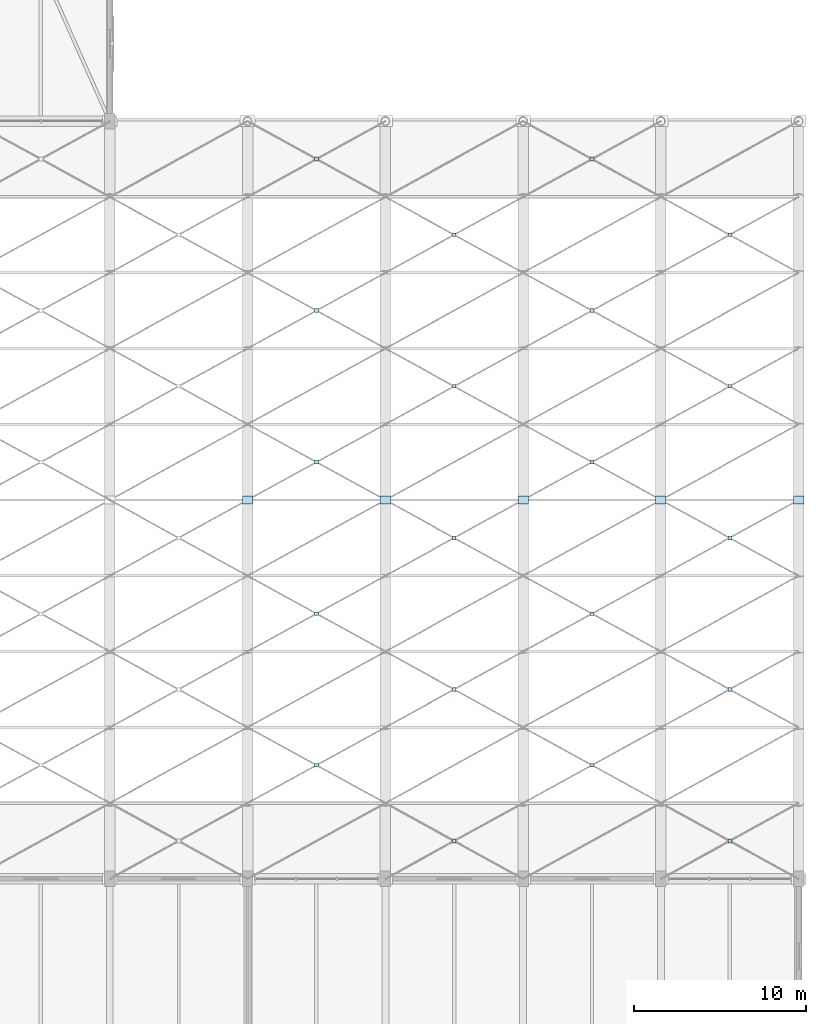
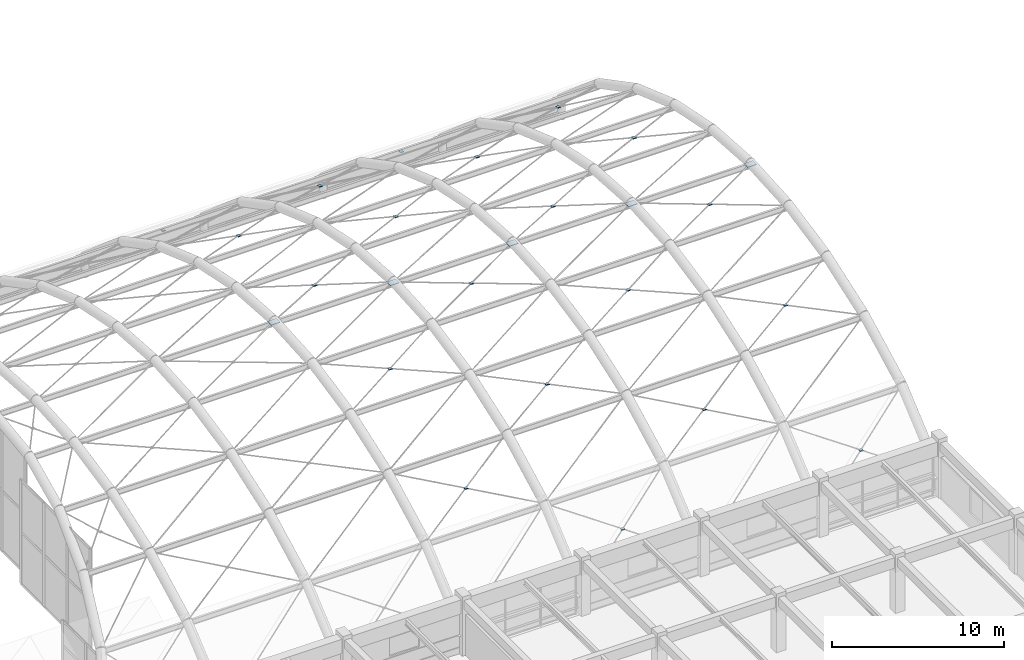
# One storey, part 95 of 126: 25 plates.
"""IFC4 building model written with IfcOpenShell, lengths in metres."""

from ifc_helpers import new_model, si_unit, direction, frame, origin, origin_2d, place, context, subcontext, project, spatial, rectangle, extrude, material, layer, layer_set, type_object, element, save


model = new_model("IFC4")

# Units and contexts
model_context = context("Model", 3, precision=1e-05, world=origin(), true_north=direction((0.0, 1.0)))
body_context = subcontext(model_context, "Body", "Model", "MODEL_VIEW")
ifc_project = project(units=[si_unit("LENGTHUNIT", "METRE"), si_unit("AREAUNIT", "SQUARE_METRE"), si_unit("VOLUMEUNIT", "CUBIC_METRE"), si_unit("PLANEANGLEUNIT", "RADIAN"), si_unit("MASSUNIT", "GRAM", prefix="KILO")], contexts=[model_context])

# Site, building, storey
site_placement = place(None, origin())
site = spatial("IfcSite", under=ifc_project, at=site_placement, CompositionType="ELEMENT")
building_placement = place(site_placement, origin())
building = spatial("IfcBuilding", under=site, at=building_placement, Name="Varnabhumi Central Station", CompositionType="ELEMENT")
storey_placement = place(building_placement, frame((0.0, 0.0, 16.199951171875)))
storey = spatial("IfcBuildingStorey", under=building, at=storey_placement, Name="L03", CompositionType="ELEMENT", Elevation=16.199951171875)

# Plates
ifc_material = material(Name="Structural steel E450", Category="steel")
ifc_layer = layer(ifc_material, 0.035888671875, Name="Structural steel E450", Category="steel")
ifc_layer_set = layer_set([ifc_layer], Name="Structural steel E450")
plate_type = type_object("IfcPlateType", Name="PLT-CLEVIS-C", PredefinedType="SHEET", material=ifc_layer_set)
for number, where, z_axis, x_axis, name in (
    (1, (152.0, 58.0, 10.01220703125), (0.0, 0.0, 1.0), (1.0, 0.0, 0.0), "Platform Train-Shed Vault Crown Cable Clevis Plate 4"),
    (2, (160.0, 58.0, 10.01220703125), (0.0, 0.0, 1.0), (1.0, 0.0, 0.0), "Platform Train-Shed Vault Crown Cable Clevis Plate 5"),
    (3, (168.0, 58.0, 10.01220703125), (0.0, 0.0, 1.0), (1.0, 0.0, 0.0), "Platform Train-Shed Vault Crown Cable Clevis Plate 6"),
    (4, (176.0, 58.0, 10.01220703125), (0.0, 0.0, 1.0), (1.0, 0.0, 0.0), "Platform Train-Shed Vault Crown Cable Clevis Plate 7"),
    (5, (184.0, 58.0, 10.01220703125), (0.0, 0.0, 1.0), (1.0, 0.0, 0.0), "Platform Train-Shed Vault Crown Cable Clevis Plate 8"),
):
    element("IfcPlate", number, at=place(storey_placement, frame(where, z_axis=z_axis, x_axis=x_axis)), inside=storey, type_object=plate_type, Name=name, PredefinedType="SHEET", context=body_context, shape_type="SweptSolid", body=[
        extrude(rectangle(XDim=0.60009765625, YDim=0.449951171875, at=origin_2d()), origin(), (0.0, 0.0, 1.0), 0.035888671875),
    ])
for number, where, z_axis, x_axis, name in (
    (6, (156.0, 42.60009765625, 6.15625), (0.0, 0.0, 1.0), (1.0, 0.0, 0.0), "Platform Train-Shed Vault Cable-Net Crossing Clamp Node B4-P2"),
    (7, (156.0, 51.39990234375, 9.30810546875), (0.0, 0.0, 1.0), (1.0, 0.0, 0.0), "Platform Train-Shed Vault Cable-Net Crossing Clamp Node B4-P4"),
    (8, (156.0, 60.199951171875, 9.9072265625), (0.0, 0.0, 1.0), (1.0, 0.0, 0.0), "Platform Train-Shed Vault Cable-Net Crossing Clamp Node B4-P6"),
    (9, (156.0, 69.0, 8.08349609375), (0.0, 0.0, 1.0), (1.0, 0.0, 0.0), "Platform Train-Shed Vault Cable-Net Crossing Clamp Node B4-P8"),
    (10, (156.0, 77.800048828125, 3.12939453125), (0.0, 0.0, 1.0), (1.0, 0.0, 0.0), "Platform Train-Shed Vault Cable-Net Crossing Clamp Node B4-P10"),
    (11, (164.0, 38.199951171875, 3.12939453125), (0.0, 0.0, 1.0), (1.0, 0.0, 0.0), "Platform Train-Shed Vault Cable-Net Crossing Clamp Node B5-P1"),
    (12, (164.0, 47.0, 8.08349609375), (0.0, 0.0, 1.0), (1.0, 0.0, 0.0), "Platform Train-Shed Vault Cable-Net Crossing Clamp Node B5-P3"),
    (13, (164.0, 55.800048828125, 9.9072265625), (0.0, 0.0, 1.0), (1.0, 0.0, 0.0), "Platform Train-Shed Vault Cable-Net Crossing Clamp Node B5-P5"),
    (14, (164.0, 64.60009765625, 9.30810546875), (0.0, 0.0, 1.0), (1.0, 0.0, 0.0), "Platform Train-Shed Vault Cable-Net Crossing Clamp Node B5-P7"),
    (15, (164.0, 73.39990234375, 6.15625), (0.0, 0.0, 1.0), (1.0, 0.0, 0.0), "Platform Train-Shed Vault Cable-Net Crossing Clamp Node B5-P9"),
    (16, (172.0, 42.60009765625, 6.15625), (0.0, 0.0, 1.0), (1.0, 0.0, 0.0), "Platform Train-Shed Vault Cable-Net Crossing Clamp Node B6-P2"),
    (17, (172.0, 51.39990234375, 9.30810546875), (0.0, 0.0, 1.0), (1.0, 0.0, 0.0), "Platform Train-Shed Vault Cable-Net Crossing Clamp Node B6-P4"),
    (18, (172.0, 60.199951171875, 9.9072265625), (0.0, 0.0, 1.0), (1.0, 0.0, 0.0), "Platform Train-Shed Vault Cable-Net Crossing Clamp Node B6-P6"),
    (19, (172.0, 69.0, 8.08349609375), (0.0, 0.0, 1.0), (1.0, 0.0, 0.0), "Platform Train-Shed Vault Cable-Net Crossing Clamp Node B6-P8"),
    (20, (172.0, 77.800048828125, 3.12939453125), (0.0, 0.0, 1.0), (1.0, 0.0, 0.0), "Platform Train-Shed Vault Cable-Net Crossing Clamp Node B6-P10"),
    (21, (180.0, 38.199951171875, 3.12939453125), (0.0, 0.0, 1.0), (1.0, 0.0, 0.0), "Platform Train-Shed Vault Cable-Net Crossing Clamp Node B7-P1"),
    (22, (180.0, 47.0, 8.08349609375), (0.0, 0.0, 1.0), (1.0, 0.0, 0.0), "Platform Train-Shed Vault Cable-Net Crossing Clamp Node B7-P3"),
    (23, (180.0, 55.800048828125, 9.9072265625), (0.0, 0.0, 1.0), (1.0, 0.0, 0.0), "Platform Train-Shed Vault Cable-Net Crossing Clamp Node B7-P5"),
    (24, (180.0, 64.60009765625, 9.30810546875), (0.0, 0.0, 1.0), (1.0, 0.0, 0.0), "Platform Train-Shed Vault Cable-Net Crossing Clamp Node B7-P7"),
    (25, (180.0, 73.39990234375, 6.15625), (0.0, 0.0, 1.0), (1.0, 0.0, 0.0), "Platform Train-Shed Vault Cable-Net Crossing Clamp Node B7-P9"),
):
    element("IfcPlate", number, at=place(storey_placement, frame(where, z_axis=z_axis, x_axis=x_axis)), inside=storey, type_object=plate_type, Name=name, PredefinedType="SHEET", context=body_context, shape_type="SweptSolid", body=[
        extrude(rectangle(XDim=0.219970703125, YDim=0.219970703125, at=origin_2d()), origin(), (0.0, 0.0, 1.0), 0.028076171875),
    ])

save(model, "model.ifc")
